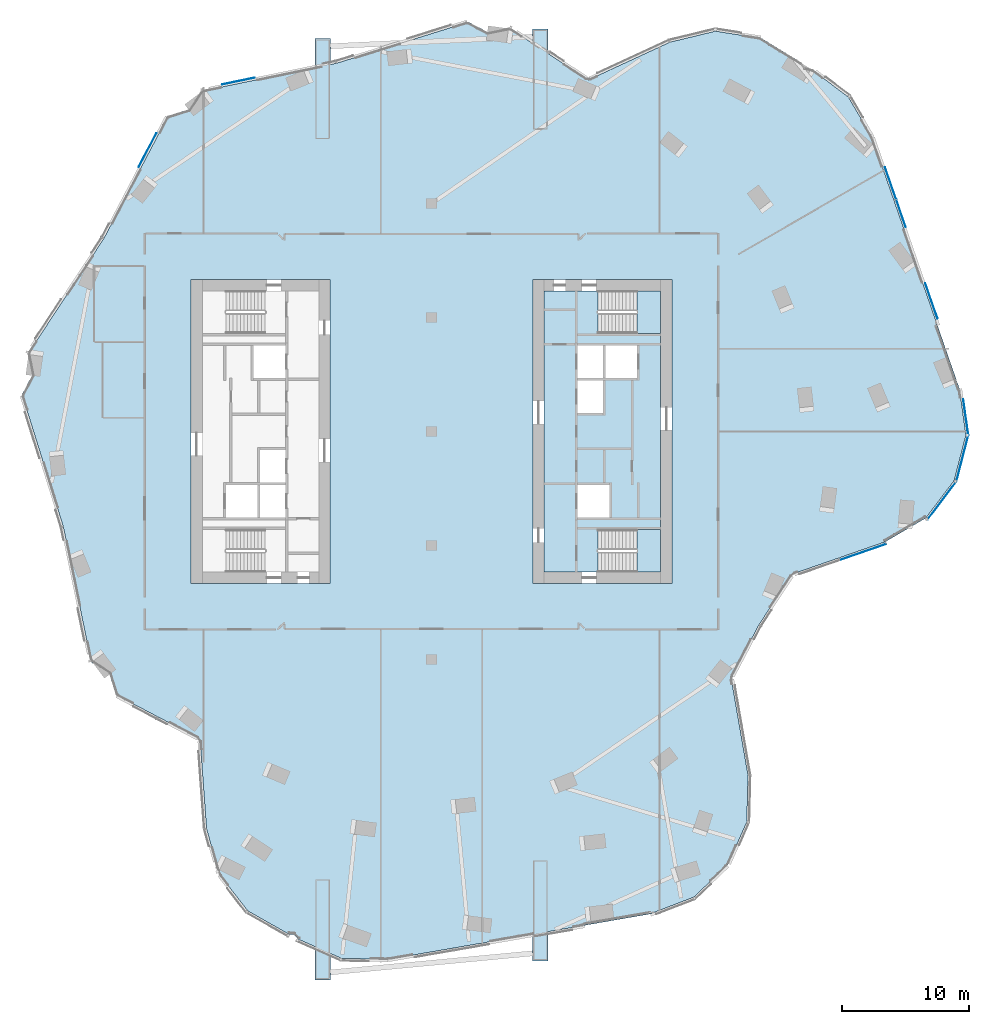
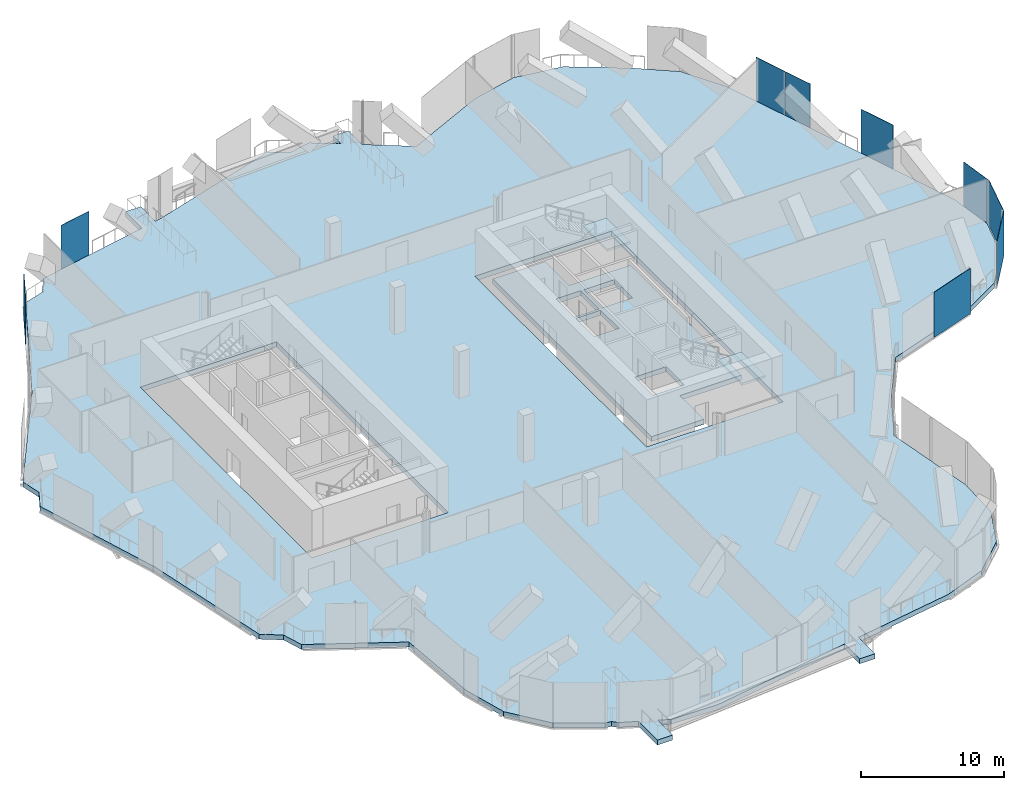
# One storey, part 16 of 26: 9 plates, 4 slabs, 9 elements without a shape of their own.
"""IFC4 building model written with IfcOpenShell, lengths in metres."""

from ifc_helpers import new_model, si_unit, direction, frame, origin, origin_2d, place, context, subcontext, project, spatial, polyline, rectangle, outline, extrude, material, layer, layer_set, type_object, element, aggregate, save


model = new_model("IFC4")

# Units and contexts
model_context = context("Model", 3, precision=1e-05, world=origin(), true_north=direction((0.0, 1.0)))
body_context = subcontext(model_context, "Body", "Model", "MODEL_VIEW")
ifc_project = project(units=[si_unit("LENGTHUNIT", "METRE"), si_unit("AREAUNIT", "SQUARE_METRE"), si_unit("VOLUMEUNIT", "CUBIC_METRE"), si_unit("PLANEANGLEUNIT", "RADIAN"), si_unit("MASSUNIT", "GRAM", prefix="KILO")], contexts=[model_context])

# Site, building, storey
site_placement = place(None, origin())
site = spatial("IfcSite", under=ifc_project, at=site_placement, CompositionType="ELEMENT")
building_placement = place(site_placement, origin())
building = spatial("IfcBuilding", under=site, at=building_placement, Name="Orlundy Tower", CompositionType="ELEMENT")
storey_placement = place(building_placement, frame((0.0, 0.0, 249.5)))
storey = spatial("IfcBuildingStorey", under=building, at=storey_placement, Name="L66", CompositionType="ELEMENT", Elevation=249.5)

# Curtain wall, plate
ifc_material_1 = material(Name="Aluminium bronze anodised", Category="aluminium")
curtain_wall_type = type_object("IfcCurtainWallType", Name="CW5 wall", PredefinedType="NOTDEFINED", material=ifc_material_1)
curtain_wall_1_placement = place(storey_placement, origin())
curtain_wall_1 = element("IfcCurtainWall", 1, at=curtain_wall_1_placement, inside=storey, type_object=curtain_wall_type, Name="CW5 run 07", PredefinedType="NOTDEFINED")
ifc_material_2 = material(Name="Tinted glass", Category="glass")
ifc_layer_1 = layer(ifc_material_2, 0.031982421875)
ifc_layer_set_1 = layer_set([ifc_layer_1], Name="CW5 glass panel 32")
plate_type_1 = type_object("IfcPlateType", Name="CW5 glass panel 32", PredefinedType="CURTAIN_PANEL", material=ifc_layer_set_1)
plate_1_placement = place(storey_placement, frame((-22.427734375, 22.226318359375, -0.2802734375), z_axis=(0.0, 0.0, 1.0), x_axis=(0.46431086872, 0.885672296726, 0.0)))
plate_1 = element("IfcPlate", 2, at=plate_1_placement, type_object=plate_type_1, Name="CW5 panel", PredefinedType="CURTAIN_PANEL", context=body_context, shape_type="SweptSolid", body=[
    extrude(rectangle(XDim=3.011474609375, YDim=0.031982421875, at=origin_2d()), origin(), (0.0, 0.0, 1.0), 3.860107421875),
])
aggregate(curtain_wall_1, [plate_1])

curtain_wall_2_placement = place(storey_placement, origin())
curtain_wall_2 = element("IfcCurtainWall", 3, at=curtain_wall_2_placement, inside=storey, type_object=curtain_wall_type, Name="CW5 run 010", PredefinedType="NOTDEFINED")
plate_2_placement = place(storey_placement, frame((-15.232666015625, 27.675048828125, -0.2802734375), z_axis=(0.0, 0.0, 1.0), x_axis=(0.979345383323, 0.202194510718, 0.0)))
plate_2 = element("IfcPlate", 4, at=plate_2_placement, type_object=plate_type_1, Name="CW5 panel", PredefinedType="CURTAIN_PANEL", context=body_context, shape_type="SweptSolid", body=[
    extrude(rectangle(XDim=2.615478515625, YDim=0.031982421875, at=origin_2d()), origin(), (0.0, 0.0, 1.0), 3.860107421875),
])
aggregate(curtain_wall_2, [plate_2])

# Curtain wall, plates
curtain_wall_3_placement = place(storey_placement, origin())
curtain_wall_3 = element("IfcCurtainWall", 5, at=curtain_wall_3_placement, inside=storey, type_object=curtain_wall_type, Name="CW5 run 023", PredefinedType="NOTDEFINED")
plate_3_placement = place(storey_placement, frame((37.08642578125, 17.2197265625, -0.2802734375), z_axis=(0.0, 0.0, 1.0), x_axis=(0.328287898416, -0.944577712924, 0.0)))
plate_3 = element("IfcPlate", 6, at=plate_3_placement, type_object=plate_type_1, Name="CW5 panel", PredefinedType="CURTAIN_PANEL", context=body_context, shape_type="SweptSolid", body=[
    extrude(rectangle(XDim=2.27197265625, YDim=0.031982421875, at=origin_2d()), origin(), (0.0, 0.0, 1.0), 3.860107421875),
])
plate_4_placement = place(storey_placement, frame((39.486328125, 10.31494140625, -0.2802734375), z_axis=(0.0, 0.0, 1.0), x_axis=(0.328287898416, -0.944577712924, 0.0)))
plate_4 = element("IfcPlate", 7, at=plate_4_placement, type_object=plate_type_1, Name="CW5 panel", PredefinedType="CURTAIN_PANEL", context=body_context, shape_type="SweptSolid", body=[
    extrude(rectangle(XDim=2.945068359375, YDim=0.031982421875, at=origin_2d()), origin(), (0.0, 0.0, 1.0), 3.860107421875),
])

# Curtain wall, plate
curtain_wall_4_placement = place(storey_placement, origin())
curtain_wall_4 = element("IfcCurtainWall", 8, at=curtain_wall_4_placement, inside=storey, type_object=curtain_wall_type, Name="CW5 run 024", PredefinedType="NOTDEFINED")
plate_5_placement = place(storey_placement, frame((42.201904296875, 1.1220703125, -0.2802734375), z_axis=(0.0, 0.0, 1.0), x_axis=(0.137832993566, -0.99045548405, 0.0)))
plate_5 = element("IfcPlate", 9, at=plate_5_placement, type_object=plate_type_1, Name="CW5 panel", PredefinedType="CURTAIN_PANEL", context=body_context, shape_type="SweptSolid", body=[
    extrude(rectangle(XDim=2.87939453125, YDim=0.031982421875, at=origin_2d()), origin(), (0.0, 0.0, 1.0), 3.860107421875),
])
aggregate(curtain_wall_4, [plate_5])

curtain_wall_5_placement = place(storey_placement, origin())
curtain_wall_5 = element("IfcCurtainWall", 10, at=curtain_wall_5_placement, inside=storey, type_object=curtain_wall_type, Name="CW5 run 025", PredefinedType="NOTDEFINED")
plate_6_placement = place(storey_placement, frame((41.924560546875, -2.1328125, -0.2802734375), z_axis=(0.0, 0.0, 1.0), x_axis=(-0.251729885218, -0.967797533004, 0.0)))
plate_6 = element("IfcPlate", 11, at=plate_6_placement, type_object=plate_type_1, Name="CW5 panel", PredefinedType="CURTAIN_PANEL", context=body_context, shape_type="SweptSolid", body=[
    extrude(rectangle(XDim=3.779541015625, YDim=0.031982421875, at=origin_2d()), origin(), (0.0, 0.0, 1.0), 3.860107421875),
])
aggregate(curtain_wall_5, [plate_6])

curtain_wall_6_placement = place(storey_placement, origin())
curtain_wall_6 = element("IfcCurtainWall", 12, at=curtain_wall_6_placement, inside=storey, type_object=curtain_wall_type, Name="CW5 run 028", PredefinedType="NOTDEFINED")
plate_7_placement = place(storey_placement, frame((34.07861328125, -9.523681640625, -0.2802734375), z_axis=(0.0, 0.0, 1.0), x_axis=(-0.944599002584, -0.328226635601, 0.0)))
plate_7 = element("IfcPlate", 13, at=plate_7_placement, type_object=plate_type_1, Name="CW5 panel", PredefinedType="CURTAIN_PANEL", context=body_context, shape_type="SweptSolid", body=[
    extrude(rectangle(XDim=3.860107421875, YDim=0.031982421875, at=origin_2d()), origin(), (0.0, 0.0, 1.0), 3.860107421875),
])
aggregate(curtain_wall_6, [plate_7])

# Plate
ifc_material_3 = material(Name="Tinted glass", Category="glass")
ifc_layer_2 = layer(ifc_material_3, 0.031982421875)
ifc_layer_set_2 = layer_set([ifc_layer_2], Name="CW5 vent panel 32")
plate_type_2 = type_object("IfcPlateType", Name="CW5 vent panel 32", PredefinedType="CURTAIN_PANEL", material=ifc_layer_set_2)
plate_8_placement = place(storey_placement, frame((36.259521484375, 19.598876953125, -0.2802734375), z_axis=(0.0, 0.0, 1.0), x_axis=(0.328287898416, -0.944577712924, 0.0)))
plate_8 = element("IfcPlate", 14, at=plate_8_placement, type_object=plate_type_2, Name="CW5 panel", PredefinedType="CURTAIN_PANEL", context=body_context, shape_type="SweptSolid", body=[
    extrude(rectangle(XDim=2.665283203125, YDim=0.031982421875, at=origin_2d()), origin(), (0.0, 0.0, 1.0), 3.860107421875),
])

aggregate(curtain_wall_3, [plate_8, plate_3, plate_4])

# Curtain wall, plate
curtain_wall_7_placement = place(storey_placement, origin())
curtain_wall_7 = element("IfcCurtainWall", 15, at=curtain_wall_7_placement, inside=storey, type_object=curtain_wall_type, Name="CW5 run 026", PredefinedType="NOTDEFINED")
plate_9_placement = place(storey_placement, frame((40.308837890625, -5.469482421875, -0.2802734375), z_axis=(0.0, 0.0, 1.0), x_axis=(-0.603145948405, -0.797630845017, 0.0)))
plate_9 = element("IfcPlate", 16, at=plate_9_placement, type_object=plate_type_2, Name="CW5 panel", PredefinedType="CURTAIN_PANEL", context=body_context, shape_type="SweptSolid", body=[
    extrude(rectangle(XDim=3.780517578125, YDim=0.031982421875, at=origin_2d()), origin(), (0.0, 0.0, 1.0), 3.860107421875),
])
aggregate(curtain_wall_7, [plate_9])

# Slab
ifc_material_4 = material(Name="Concrete C50/60", Category="concrete")
ifc_layer_3 = layer(ifc_material_4, 0.419921875)
ifc_layer_set_3 = layer_set([ifc_layer_3], Name="Core Floor Slab 420")
slab_type_1 = type_object("IfcSlabType", Name="Core Floor Slab 420", PredefinedType="FLOOR", material=ifc_layer_set_3)
slab_1_placement = place(storey_placement, frame((0.0, 0.0, -0.419921875)))
element("IfcSlab", 17, at=slab_1_placement, inside=storey, type_object=slab_type_1, Name="Core floor E50", PredefinedType="FLOOR", context=body_context, shape_type="SweptSolid", body=[
    extrude(outline(polyline([(18.10009765625, -7.75), (13.14501953125, -7.75), (13.14501953125, -11.10009765625), (8.89990234375, -11.10009765625), (8.89990234375, 11.10009765625), (13.14501953125, 11.10009765625), (13.14501953125, 7.75), (18.10009765625, 7.75), (18.10009765625, -7.75)]), holes=[polyline([(13.5400390625, 4.22509765625), (13.5400390625, 6.77490234375), (11.5400390625, 6.77490234375), (11.5400390625, 4.22509765625), (13.5400390625, 4.22509765625)]), polyline([(13.739990234375, 4.22509765625), (16.239990234375, 4.22509765625), (16.239990234375, 6.77490234375), (13.739990234375, 6.77490234375), (13.739990234375, 4.22509765625)]), polyline([(11.5400390625, 4.02490234375), (11.5400390625, 1.47509765625), (13.5400390625, 1.47509765625), (13.5400390625, 4.02490234375), (11.5400390625, 4.02490234375)]), polyline([(14.0400390625, -4.22509765625), (11.5400390625, -4.22509765625), (11.5400390625, -6.77490234375), (14.0400390625, -6.77490234375), (14.0400390625, -4.22509765625)])]), origin(), (0.0, 0.0, 1.0), 0.419921875),
])

# Stair, slab
ifc_material_5 = material(Name="Concrete C50/60", Category="concrete")
stair_type = type_object("IfcStairType", Name="Exit Stair 24 risers", PredefinedType="HALF_TURN_STAIR", material=ifc_material_5)
stair_1_placement = place(storey_placement, origin())
stair_1 = element("IfcStair", 18, at=stair_1_placement, inside=storey, type_object=stair_type, Name="L66 Exit Stair ST-E1", PredefinedType="HALF_TURN_STAIR")
ifc_material_6 = material(Name="Concrete C50/60", Category="concrete")
ifc_layer_4 = layer(ifc_material_6, 0.199951171875)
ifc_layer_set_4 = layer_set([ifc_layer_4], Name="Exit Stair Landing")
slab_type_2 = type_object("IfcSlabType", Name="Exit Stair Landing", PredefinedType="LANDING", material=ifc_layer_set_4)
slab_2_placement = place(storey_placement, frame((0.0, 0.0, 1.800048828125)))
slab_2 = element("IfcSlab", 19, at=slab_2_placement, type_object=slab_type_2, Name="ST-E1 landing 1", PredefinedType="LANDING", context=body_context, shape_type="SweptSolid", body=[
    extrude(outline(polyline([(16.219970703125, -11.10009765625), (18.10009765625, -11.10009765625), (18.10009765625, -7.75), (16.219970703125, -7.75), (16.219970703125, -11.10009765625)])), origin(), (0.0, 0.0, 1.0), 0.199951171875),
])
aggregate(stair_1, [slab_2])

stair_2_placement = place(storey_placement, origin())
stair_2 = element("IfcStair", 20, at=stair_2_placement, inside=storey, type_object=stair_type, Name="L66 Exit Stair ST-E2", PredefinedType="HALF_TURN_STAIR")
slab_3_placement = place(storey_placement, frame((0.0, 0.0, 1.800048828125)))
slab_3 = element("IfcSlab", 21, at=slab_3_placement, type_object=slab_type_2, Name="ST-E2 landing 1", PredefinedType="LANDING", context=body_context, shape_type="SweptSolid", body=[
    extrude(outline(polyline([(16.219970703125, 7.75), (18.10009765625, 7.75), (18.10009765625, 11.10009765625), (16.219970703125, 11.10009765625), (16.219970703125, 7.75)])), origin(), (0.0, 0.0, 1.0), 0.199951171875),
])
aggregate(stair_2, [slab_3])

# Slab
ifc_material_7 = material(Name="Concrete C45/55", Category="concrete")
ifc_layer_5 = layer(ifc_material_7, 0.39990234375)
ifc_layer_set_5 = layer_set([ifc_layer_5], Name="JUNCTION FLOOR SLAB 400 C45/55")
slab_type_3 = type_object("IfcSlabType", Name="JUNCTION FLOOR SLAB 400 C45/55", PredefinedType="FLOOR", material=ifc_layer_set_5)
slab_4_placement = place(storey_placement, frame((0.0, 0.0, -0.419921875)))
element("IfcSlab", 22, at=slab_4_placement, inside=storey, type_object=slab_type_3, Name="Floor slab L66", PredefinedType="FLOOR", context=body_context, shape_type="SweptSolid", body=[
    extrude(outline(polyline([(-9.219970703125, -40.681884765625), (-10.52294921875, -40.10400390625), (-10.85595703125, -39.75390625), (-11.281005859375, -39.700927734375), (-14.50390625, -37.87109375), (-16.781982421875, -34.947021484375), (-17.76708984375, -31.3740234375), (-18.283935546875, -24.287109375), (-24.93505859375, -20.800048828125), (-25.443115234375, -19.173095703125), (-26.866943359375, -18.236083984375), (-29.0791015625, -7.52197265625), (-32.340087890625, 2.924072265625), (-31.548095703125, 4.43408203125), (-31.89306640625, 6.10302734375), (-25.881103515625, 15.242919921875), (-20.800048828125, 24.93505859375), (-19.173095703125, 25.443115234375), (-18.236083984375, 26.866943359375), (-9.219970703125, 28.72802734375), (-9.219970703125, 31.030029296875), (-7.97998046875, 31.030029296875), (-7.97998046875, 28.98388671875), (-7.52197265625, 29.0791015625), (2.924072265625, 32.340087890625), (4.43408203125, 31.548095703125), (6.10302734375, 31.89306640625), (7.97998046875, 30.658935546875), (7.97998046875, 31.779052734375), (9.219970703125, 31.779052734375), (9.219970703125, 29.843017578125), (12.3779296875, 27.76611328125), (18.825927734375, 30.75), (22.428955078125, 31.62109375), (26.091064453125, 31.0458984375), (29.2548828125, 29.114013671875), (29.507080078125, 28.76708984375), (29.97412109375, 28.64599609375), (32.930908203125, 26.410888671875), (34.80810546875, 23.215087890625), (41.701904296875, 3.37890625), (42.212890625, -0.29296875), (41.280029296875, -3.8798828125), (39.0439453125, -6.8369140625), (35.847900390625, -8.714111328125), (28.4951171875, -11.26904296875), (25.881103515625, -15.242919921875), (23.6708984375, -19.458984375), (25.0, -27.12890625), (24.908935546875, -30.833984375), (23.406005859375, -34.222900390625), (20.720947265625, -36.778076171875), (17.261962890625, -38.112060546875), (9.219970703125, -39.505859375), (9.219970703125, -41.81689453125), (7.97998046875, -41.81689453125), (7.97998046875, -39.720703125), (-3.428955078125, -41.697998046875), (-7.135009765625, -41.60693359375), (-7.97998046875, -41.232177734375), (-7.97998046875, -43.322998046875), (-9.219970703125, -43.322998046875), (-9.219970703125, -40.681884765625)]), holes=[polyline([(-19.0, 12.0), (-19.0, -12.0), (-8.0, -12.0), (-8.0, 12.0), (-19.0, 12.0)]), polyline([(8.0, 12.0), (8.0, -12.0), (19.0, -12.0), (19.0, 12.0), (8.0, 12.0)])]), origin(), (0.0, 0.0, 1.0), 0.419921875),
])

save(model, "model.ifc")
